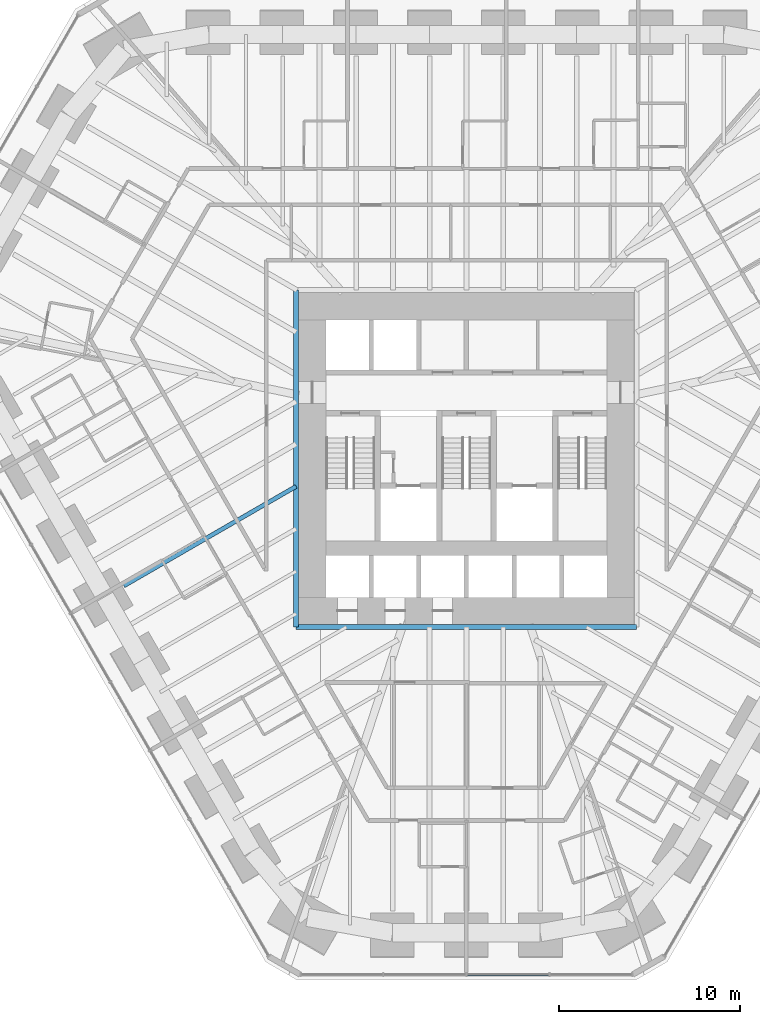
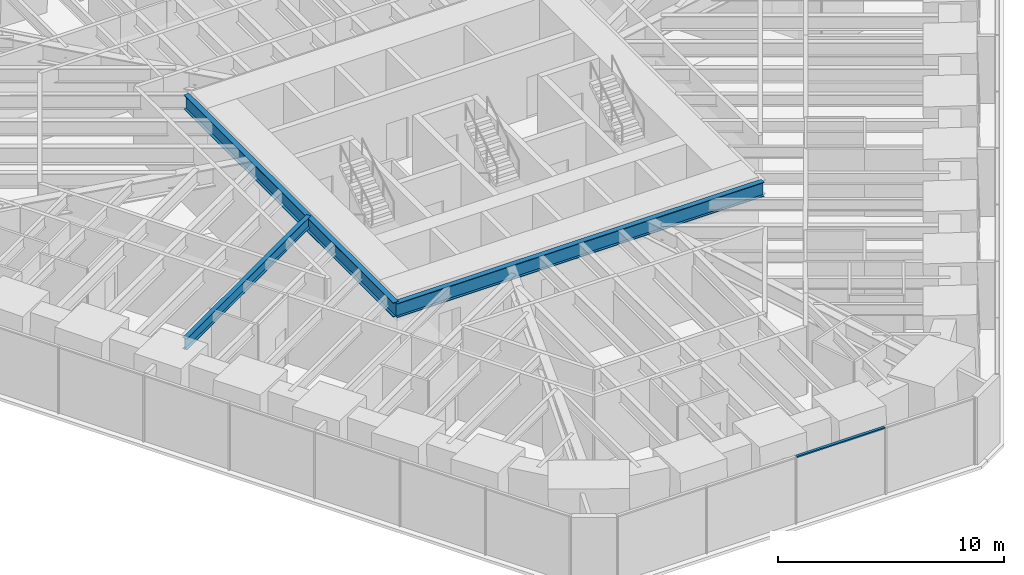
# One storey, part 4 of 17: 3 beams, 1 member, 1 element without a shape of its own.
"""IFC4 building model written with IfcOpenShell, lengths in metres."""

from ifc_helpers import new_model, si_unit, direction, frame, origin, origin_2d, place, context, subcontext, project, spatial, rectangle, i_section, extrude, material, material_profile, profile_set, type_object, element, aggregate, save


model = new_model("IFC4")

# Units and contexts
model_context = context("Model", 3, precision=1e-05, world=origin(), true_north=direction((0.0, 1.0)))
body_context = subcontext(model_context, "Body", "Model", "MODEL_VIEW")
ifc_project = project(units=[si_unit("LENGTHUNIT", "METRE"), si_unit("AREAUNIT", "SQUARE_METRE"), si_unit("VOLUMEUNIT", "CUBIC_METRE"), si_unit("PLANEANGLEUNIT", "RADIAN"), si_unit("MASSUNIT", "GRAM", prefix="KILO")], contexts=[model_context])

# Site, building, storey
site_placement = place(None, origin())
site = spatial("IfcSite", under=ifc_project, at=site_placement, CompositionType="ELEMENT")
building_placement = place(site_placement, origin())
building = spatial("IfcBuilding", under=site, at=building_placement, Name="Sandreach Pilgrim Tower", CompositionType="ELEMENT")
storey_placement = place(building_placement, frame((0.0, 0.0, 76.199951171875)))
storey = spatial("IfcBuildingStorey", under=building, at=storey_placement, Name="L18", CompositionType="ELEMENT", Elevation=76.199951171875)

# Curtain wall, member
ifc_material_1 = material(Name="Aluminium framed curtain wall", Category="aluminium")
curtain_wall_type = type_object("IfcCurtainWallType", Name="Hostel tower curtain wall", PredefinedType="NOTDEFINED", material=ifc_material_1)
curtain_wall_placement = place(storey_placement, origin())
curtain_wall = element("IfcCurtainWall", 1, at=curtain_wall_placement, inside=storey, type_object=curtain_wall_type, Name="CW-1 L18 S", PredefinedType="NOTDEFINED")
ifc_material_2 = material(Name="Aluminium extrusion", Category="aluminium")
ifc_material_profile_1 = material_profile(ifc_material_2, rectangle(XDim=0.139892578125, YDim=0.070068359375, at=origin_2d()), Name="CW-1T 140X70")
ifc_profile_set_1 = profile_set([ifc_material_profile_1], Name="Aluminium extrusion")
member_type = type_object("IfcMemberType", Name="CW-1 transom", PredefinedType="USERDEFINED", material=ifc_profile_set_1)
member_placement = place(storey_placement, frame((4.553466796875, -30.010986328125, 3.60498046875), z_axis=(-1.0, 0.0, 0.0), x_axis=(0.0, -1.0, 0.0)))
member = element("IfcMember", 2, at=member_placement, type_object=member_type, Name="CW-1 head transom 2", ObjectType="TRANSOM", PredefinedType="USERDEFINED", context=body_context, shape_type="SweptSolid", body=[
    extrude(rectangle(XDim=0.139892578125, YDim=0.070068359375, at=origin_2d()), origin(), (0.0, 0.0, 1.0), 4.52099609375),
])
aggregate(curtain_wall, [member])

# Beams
ifc_material_3 = material(Name="Steel ASTM A992 Grade 50", Category="steel")
ifc_material_profile_2 = material_profile(ifc_material_3, i_section(OverallWidth=0.2666015625, OverallDepth=0.77978515625, WebThickness=0.0166015625, FlangeThickness=0.030029296875, at=origin_2d()), Name="W30X148")
ifc_profile_set_2 = profile_set([ifc_material_profile_2], Name="Steel ASTM A992 Grade 50")
beam_type_1 = type_object("IfcBeamType", Name="Core edge beam W30X148", PredefinedType="BEAM", material=ifc_profile_set_2)
beam_1_placement = place(storey_placement, frame((9.393310546875, -10.84326171875, 3.250244140625), z_axis=(-1.0, 0.0, 0.0), x_axis=(0.0, -1.0, 0.0)))
element("IfcBeam", 3, at=beam_1_placement, inside=storey, type_object=beam_type_1, Name="BM L18 CES", PredefinedType="BEAM", context=body_context, shape_type="SweptSolid", body=[
    extrude(i_section(OverallWidth=0.2666015625, OverallDepth=0.77978515625, WebThickness=0.0166015625, FlangeThickness=0.030029296875, at=origin_2d()), origin(), (0.0, 0.0, 1.0), 18.78662109375),
])
beam_2_placement = place(storey_placement, frame((-9.393310546875, -10.84326171875, 3.250244140625), z_axis=(0.0, 1.0, 0.0), x_axis=(-1.0, 0.0, 0.0)))
element("IfcBeam", 4, at=beam_2_placement, inside=storey, type_object=beam_type_1, Name="BM L18 CEW", PredefinedType="BEAM", context=body_context, shape_type="SweptSolid", body=[
    extrude(i_section(OverallWidth=0.2666015625, OverallDepth=0.77978515625, WebThickness=0.0166015625, FlangeThickness=0.030029296875, at=origin_2d()), origin(), (0.0, 0.0, 1.0), 18.586669921875),
])
ifc_material_4 = material(Name="Steel ASTM A992 Grade 50", Category="steel")
ifc_material_profile_3 = material_profile(ifc_material_4, i_section(OverallWidth=0.23046875, OverallDepth=0.6171875, WebThickness=0.01318359375, FlangeThickness=0.022216796875, at=origin_2d()), Name="W24X94")
ifc_profile_set_3 = profile_set([ifc_material_profile_3], Name="Steel ASTM A992 Grade 50")
beam_type_2 = type_object("IfcBeamType", Name="Floor beam W24X94", PredefinedType="BEAM", material=ifc_profile_set_3)
beam_3_placement = place(storey_placement, frame((-18.89794921875, -8.56982421875, 3.33154296875), z_axis=(0.86602370202, 0.50000294753, 0.0), x_axis=(-0.50000294753, 0.86602370202, 0.0)))
element("IfcBeam", 5, at=beam_3_placement, inside=storey, type_object=beam_type_2, Name="BM L18 F31", PredefinedType="BEAM", context=body_context, shape_type="SweptSolid", body=[
    extrude(i_section(OverallWidth=0.23046875, OverallDepth=0.6171875, WebThickness=0.01318359375, FlangeThickness=0.022216796875, at=origin_2d()), origin(), (0.0, 0.0, 1.0), 10.97509765625),
])

save(model, "model.ifc")
